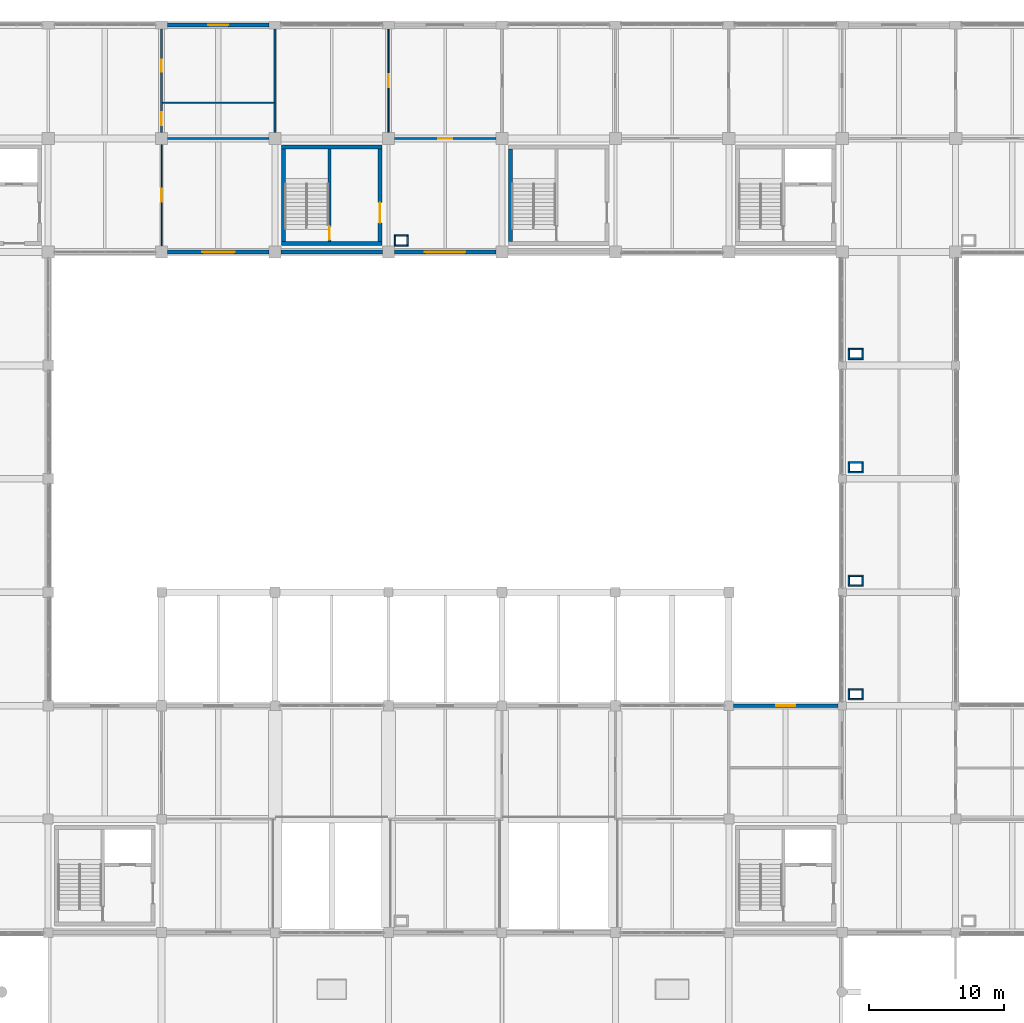
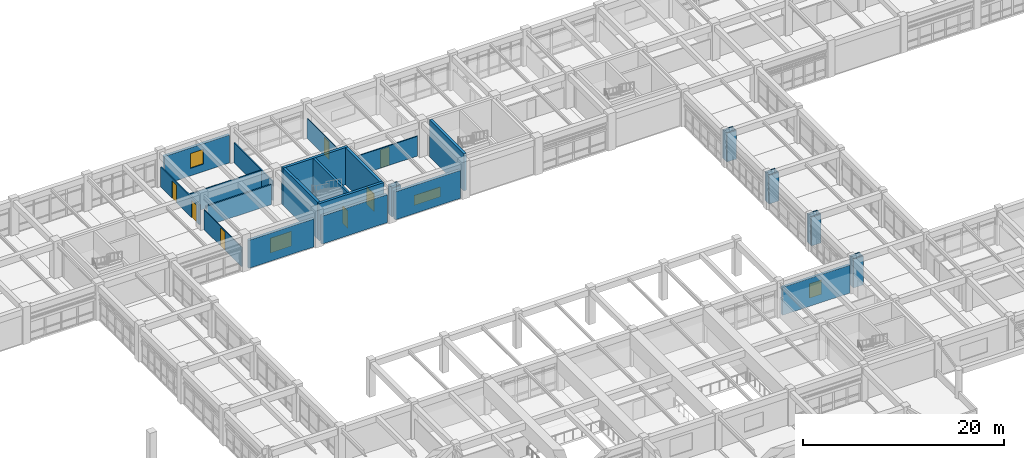
# One storey, part 88 of 99: 38 walls, 7 doors, 4 windows, 11 openings.
"""IFC4 building model written with IfcOpenShell, lengths in metres."""

from ifc_helpers import new_model, si_unit, direction, frame, frame_2d, origin, place, context, subcontext, project, spatial, rectangle, extrude, material, layer, layer_set, type_object, element, fill, save


model = new_model("IFC4")

# Units and contexts
model_context = context("Model", 3, precision=1e-05, world=origin(), true_north=direction((0.0, 1.0)))
body_context = subcontext(model_context, "Body", "Model", "MODEL_VIEW")
ifc_project = project(units=[si_unit("LENGTHUNIT", "METRE"), si_unit("AREAUNIT", "SQUARE_METRE"), si_unit("VOLUMEUNIT", "CUBIC_METRE"), si_unit("PLANEANGLEUNIT", "RADIAN"), si_unit("MASSUNIT", "GRAM", prefix="KILO")], contexts=[model_context])

# Site, building, storey
site_placement = place(None, origin())
site = spatial("IfcSite", under=ifc_project, at=site_placement, CompositionType="ELEMENT")
building_placement = place(site_placement, origin())
building = spatial("IfcBuilding", under=site, at=building_placement, Name="Porcellanite Civic Hall", CompositionType="ELEMENT")
storey_placement = place(building_placement, frame((0.0, 0.0, 5.760009765625)))
storey = spatial("IfcBuildingStorey", under=building, at=storey_placement, Name="L01", CompositionType="ELEMENT", Elevation=5.760009765625)

# Wall, opening, door
ifc_material_1 = material(Name="Concrete N40 (40 MPa)", Category="concrete")
ifc_layer_1 = layer(ifc_material_1, 0.239990234375)
ifc_layer_set_1 = layer_set([ifc_layer_1], Name="Concrete N40 (40 MPa)")
wall_type_1 = type_object("IfcWallType", Name="CW-SH240", PredefinedType="SHEAR", material=ifc_layer_set_1)
wall_1_placement = place(storey_placement, frame((79.639892578125, 101.580078125, 0.0), z_axis=(0.0, 0.0, 1.0), x_axis=(0.0, 1.0, 0.0)))
wall_1 = element("IfcWall", 1, at=wall_1_placement, inside=storey, type_object=wall_type_1, Name="Core divider S9 L01", PredefinedType="SHEAR", context=body_context, shape_type="SweptSolid", body=[
    extrude(rectangle(XDim=6.83984375, YDim=0.239990234375, at=frame_2d((3.419921875, 0.0))), origin(), (0.0, 0.0, 1.0), 4.5),
])
opening_1_placement = place(wall_1_placement, frame((0.1201171875, 0.0, 0.0)))
opening_1 = element("IfcOpeningElement", 2, at=opening_1_placement, cuts=wall_1, Name="Opening FD-S9-L01-ST", PredefinedType="OPENING", context=body_context, shape_type="SweptSolid", body=[
    extrude(rectangle(XDim=1.0, YDim=2.14990234375, at=frame_2d((0.5, 1.074951171875))), frame((0.0, 0.1201171875, 0.0), z_axis=(0.0, -1.0, 0.0), x_axis=(1.0, 0.0, 0.0)), (0.0, 0.0, 1.0), 0.239990234375),
])
ifc_material_2 = material(Name="Fire-rated solid-core hardwood timber", Category="wood")
door_type_1 = type_object("IfcDoorType", Name="DR-FD100", OperationType="NOTDEFINED", PredefinedType="DOOR", material=ifc_material_2)
door_1_placement = place(opening_1_placement, origin())
door_1 = element("IfcDoor", 3, at=door_1_placement, inside=storey, type_object=door_type_1, Name="Fire stair door FD-S9-L01-ST", OperationType="SINGLE_SWING_RIGHT", OverallHeight=2.14990234375, OverallWidth=1.0, PredefinedType="DOOR", context=body_context, shape_type="SweptSolid", body=[
    extrude(rectangle(XDim=1.0, YDim=2.14990234375, at=frame_2d((0.5, 1.074951171875))), frame((0.0, 0.02490234375, 0.0), z_axis=(0.0, -1.0, 0.0), x_axis=(1.0, 0.0, 0.0)), (0.0, 0.0, 1.0), 0.050048828125),
])
fill(opening_1, door_1)

# Walls
ifc_material_3 = material(Name="Concrete N40 (40 MPa)", Category="concrete")
ifc_layer_2 = layer(ifc_material_3, 0.300048828125)
ifc_layer_set_2 = layer_set([ifc_layer_2], Name="Concrete N40 (40 MPa)")
wall_type_2 = type_object("IfcWallType", Name="CW-SH300", PredefinedType="SHEAR", material=ifc_layer_set_2)
wall_2_placement = place(storey_placement, frame((83.52001953125, 101.429931640625, 0.0), z_axis=(0.0, 0.0, 1.0), x_axis=(-1.0, 0.0, 0.0)))
element("IfcWall", 4, at=wall_2_placement, inside=storey, type_object=wall_type_2, Name="Core wall S9 L01 S", PredefinedType="SHEAR", context=body_context, shape_type="SweptSolid", body=[
    extrude(rectangle(XDim=7.43994140625, YDim=0.300048828125, at=frame_2d((3.719970703125, 0.0))), origin(), (0.0, 0.0, 1.0), 4.5),
])
wall_3_placement = place(storey_placement, frame((76.22998046875, 101.580078125, 0.0), z_axis=(0.0, 0.0, 1.0), x_axis=(0.0, 1.0, 0.0)))
element("IfcWall", 5, at=wall_3_placement, inside=storey, type_object=wall_type_2, Name="Core wall S9 L01 W", PredefinedType="SHEAR", context=body_context, shape_type="SweptSolid", body=[
    extrude(rectangle(XDim=6.83984375, YDim=0.300048828125, at=frame_2d((3.419921875, 0.0))), origin(), (0.0, 0.0, 1.0), 4.5),
])
wall_4_placement = place(storey_placement, frame((76.080078125, 108.570068359375, 0.0), z_axis=(0.0, 0.0, 1.0), x_axis=(1.0, 0.0, 0.0)))
element("IfcWall", 6, at=wall_4_placement, inside=storey, type_object=wall_type_2, Name="Core wall S9 L01 N", PredefinedType="SHEAR", context=body_context, shape_type="SweptSolid", body=[
    extrude(rectangle(XDim=7.43994140625, YDim=0.300048828125, at=frame_2d((3.719970703125, 0.0))), origin(), (0.0, 0.0, 1.0), 4.5),
])

# Wall, opening, door
wall_5_placement = place(storey_placement, frame((83.3701171875, 108.419921875, 0.0), z_axis=(0.0, 0.0, 1.0), x_axis=(0.0, -1.0, 0.0)))
wall_5 = element("IfcWall", 7, at=wall_5_placement, inside=storey, type_object=wall_type_2, Name="Core wall S9 L01 E", PredefinedType="SHEAR", context=body_context, shape_type="SweptSolid", body=[
    extrude(rectangle(XDim=6.83984375, YDim=0.300048828125, at=frame_2d((3.419921875, 0.0))), origin(), (0.0, 0.0, 1.0), 4.5),
])
opening_2_placement = place(wall_5_placement, frame((3.969970703125, 0.0, 0.0)))
opening_2 = element("IfcOpeningElement", 8, at=opening_2_placement, cuts=wall_5, Name="Opening FD-S9-L01-LB", PredefinedType="OPENING", context=body_context, shape_type="SweptSolid", body=[
    extrude(rectangle(XDim=1.5, YDim=2.14990234375, at=frame_2d((0.75, 1.074951171875))), frame((0.0, 0.14990234375, 0.0), z_axis=(0.0, -1.0, 0.0), x_axis=(1.0, 0.0, 0.0)), (0.0, 0.0, 1.0), 0.300048828125),
])
ifc_material_4 = material(Name="Fire-rated steel and Georgian wired glass", Category="steel")
door_type_2 = type_object("IfcDoorType", Name="DR-FD150", OperationType="DOUBLE_DOOR_SINGLE_SWING", PredefinedType="DOOR", material=ifc_material_4)
door_2_placement = place(opening_2_placement, origin())
door_2 = element("IfcDoor", 9, at=door_2_placement, inside=storey, type_object=door_type_2, Name="Fire lobby double door FD-S9-L01-LB", OperationType="DOUBLE_DOOR_SINGLE_SWING", OverallHeight=2.14990234375, OverallWidth=1.5, PredefinedType="DOOR", context=body_context, shape_type="SweptSolid", body=[
    extrude(rectangle(XDim=1.5, YDim=2.14990234375, at=frame_2d((0.75, 1.074951171875))), frame((0.0, 0.02490234375, 0.0), z_axis=(0.0, -1.0, 0.0), x_axis=(1.0, 0.0, 0.0)), (0.0, 0.0, 1.0), 0.050048828125),
])
fill(opening_2, door_2)

# Wall
wall_6_placement = place(storey_placement, frame((93.030029296875, 101.580078125, 0.0), z_axis=(0.0, 0.0, 1.0), x_axis=(0.0, 1.0, 0.0)))
element("IfcWall", 10, at=wall_6_placement, inside=storey, type_object=wall_type_2, Name="Core wall S10 L01 W", PredefinedType="SHEAR", context=body_context, shape_type="SweptSolid", body=[
    extrude(rectangle(XDim=6.83984375, YDim=0.300048828125, at=frame_2d((3.419921875, 0.0))), origin(), (0.0, 0.0, 1.0), 4.5),
])

# Wall, opening, window
ifc_material_5 = material(Name="Precast concrete N40 (40 MPa)", Category="concrete")
ifc_layer_3 = layer(ifc_material_5, 0.300048828125)
ifc_layer_set_3 = layer_set([ifc_layer_3], Name="Precast concrete N40 (40 MPa)")
wall_type_3 = type_object("IfcWallType", Name="EW-ADM300", PredefinedType="SOLIDWALL", material=ifc_layer_set_3)
wall_7_placement = place(storey_placement, frame((75.14892578125, 100.800048828125, 0.0), z_axis=(0.0, 0.0, 1.0), x_axis=(-1.0, 0.0, 0.0)))
wall_7 = element("IfcWall", 11, at=wall_7_placement, inside=storey, type_object=wall_type_3, Name="Exterior wall L01 S 9-13", PredefinedType="SOLIDWALL", context=body_context, shape_type="SweptSolid", body=[
    extrude(rectangle(XDim=7.498046875, YDim=0.300048828125, at=frame_2d((3.7490234375, 0.0))), origin(), (0.0, 0.0, 1.0), 3.39990234375),
])
opening_3_placement = place(wall_7_placement, frame((2.549072265625, 0.0, 0.89990234375)))
opening_3 = element("IfcOpeningElement", 12, at=opening_3_placement, cuts=wall_7, Name="Opening W03", PredefinedType="OPENING", context=body_context, shape_type="SweptSolid", body=[
    extrude(rectangle(XDim=2.39990234375, YDim=1.800048828125, at=frame_2d((1.199951171875, 0.89990234375))), frame((0.0, 0.14990234375, 0.0), z_axis=(0.0, -1.0, 0.0), x_axis=(1.0, 0.0, 0.0)), (0.0, 0.0, 1.0), 0.300048828125),
])
ifc_material_6 = material(Name="Cyclone laminated low-E glazing in anodised aluminium frame", Category="aluminium")
window_type_1 = type_object("IfcWindowType", Name="WN-03", PartitioningType="TRIPLE_PANEL_VERTICAL", PredefinedType="WINDOW", material=ifc_material_6)
window_1_placement = place(opening_3_placement, origin())
window_1 = element("IfcWindow", 13, at=window_1_placement, inside=storey, type_object=window_type_1, Name="Window W03 L01 S 9-13", OverallHeight=1.800048828125, OverallWidth=2.39990234375, PartitioningType="SINGLE_PANEL", PredefinedType="WINDOW", context=body_context, shape_type="SweptSolid", body=[
    extrude(rectangle(XDim=2.39990234375, YDim=1.800048828125, at=frame_2d((1.199951171875, 0.89990234375))), frame((0.0, 0.030029296875, 0.0), z_axis=(0.0, -1.0, 0.0), x_axis=(1.0, 0.0, 0.0)), (0.0, 0.0, 1.0), 0.06005859375),
])
fill(opening_3, window_1)

wall_8_placement = place(storey_placement, frame((67.65087890625, 117.60009765625, 0.0), z_axis=(0.0, 0.0, 1.0), x_axis=(1.0, 0.0, 0.0)))
wall_8 = element("IfcWall", 14, at=wall_8_placement, inside=storey, type_object=wall_type_3, Name="Exterior wall L01 N 9-14", PredefinedType="SOLIDWALL", context=body_context, shape_type="SweptSolid", body=[
    extrude(rectangle(XDim=7.498046875, YDim=0.300048828125, at=frame_2d((3.7490234375, 0.0))), origin(), (0.0, 0.0, 1.0), 3.39990234375),
])
opening_4_placement = place(wall_8_placement, frame((2.9990234375, 0.0, 0.89990234375)))
opening_4 = element("IfcOpeningElement", 15, at=opening_4_placement, cuts=wall_8, Name="Opening W04", PredefinedType="OPENING", context=body_context, shape_type="SweptSolid", body=[
    extrude(rectangle(XDim=1.5, YDim=1.800048828125, at=frame_2d((0.75, 0.89990234375))), frame((0.0, 0.14990234375, 0.0), z_axis=(0.0, -1.0, 0.0), x_axis=(1.0, 0.0, 0.0)), (0.0, 0.0, 1.0), 0.300048828125),
])
ifc_material_7 = material(Name="Cyclone laminated low-E glazing in anodised aluminium frame", Category="aluminium")
window_type_2 = type_object("IfcWindowType", Name="WN-04", PartitioningType="SINGLE_PANEL", PredefinedType="WINDOW", material=ifc_material_7)
window_2_placement = place(opening_4_placement, origin())
window_2 = element("IfcWindow", 16, at=window_2_placement, inside=storey, type_object=window_type_2, Name="Window W04 L01 N 9-14", OverallHeight=1.800048828125, OverallWidth=1.5, PartitioningType="SINGLE_PANEL", PredefinedType="WINDOW", context=body_context, shape_type="SweptSolid", body=[
    extrude(rectangle(XDim=1.5, YDim=1.800048828125, at=frame_2d((0.75, 0.89990234375))), frame((0.0, 0.030029296875, 0.0), z_axis=(0.0, -1.0, 0.0), x_axis=(1.0, 0.0, 0.0)), (0.0, 0.0, 1.0), 0.06005859375),
])
fill(opening_4, window_2)

# Wall
wall_9_placement = place(storey_placement, frame((83.549072265625, 100.800048828125, 0.0), z_axis=(0.0, 0.0, 1.0), x_axis=(-1.0, 0.0, 0.0)))
element("IfcWall", 17, at=wall_9_placement, inside=storey, type_object=wall_type_3, Name="Exterior wall L01 S 10-13", PredefinedType="SOLIDWALL", context=body_context, shape_type="SweptSolid", body=[
    extrude(rectangle(XDim=7.498046875, YDim=0.300048828125, at=frame_2d((3.7490234375, 0.0))), origin(), (0.0, 0.0, 1.0), 3.39990234375),
])

# Wall, opening, window
wall_10_placement = place(storey_placement, frame((91.948974609375, 100.800048828125, 0.0), z_axis=(0.0, 0.0, 1.0), x_axis=(-1.0, 0.0, 0.0)))
wall_10 = element("IfcWall", 18, at=wall_10_placement, inside=storey, type_object=wall_type_3, Name="Exterior wall L01 S 11-13", PredefinedType="SOLIDWALL", context=body_context, shape_type="SweptSolid", body=[
    extrude(rectangle(XDim=7.498046875, YDim=0.300048828125, at=frame_2d((3.7490234375, 0.0))), origin(), (0.0, 0.0, 1.0), 3.39990234375),
])
opening_5_placement = place(wall_10_placement, frame((2.2490234375, 0.0, 0.89990234375)))
opening_5 = element("IfcOpeningElement", 19, at=opening_5_placement, cuts=wall_10, Name="Opening W09", PredefinedType="OPENING", context=body_context, shape_type="SweptSolid", body=[
    extrude(rectangle(XDim=3.0, YDim=1.199951171875, at=frame_2d((1.5, 0.60009765625))), frame((0.0, 0.14990234375, 0.0), z_axis=(0.0, -1.0, 0.0), x_axis=(1.0, 0.0, 0.0)), (0.0, 0.0, 1.0), 0.300048828125),
])
ifc_material_8 = material(Name="Cyclone laminated low-E glazing in anodised aluminium frame", Category="aluminium")
window_type_3 = type_object("IfcWindowType", Name="WN-09", PartitioningType="TRIPLE_PANEL_HORIZONTAL", PredefinedType="WINDOW", material=ifc_material_8)
window_3_placement = place(opening_5_placement, origin())
window_3 = element("IfcWindow", 20, at=window_3_placement, inside=storey, type_object=window_type_3, Name="Window W09 L01 S 11-13", OverallHeight=1.199951171875, OverallWidth=3.0, PartitioningType="SINGLE_PANEL", PredefinedType="WINDOW", context=body_context, shape_type="SweptSolid", body=[
    extrude(rectangle(XDim=3.0, YDim=1.199951171875, at=frame_2d((1.5, 0.60009765625))), frame((0.0, 0.030029296875, 0.0), z_axis=(0.0, -1.0, 0.0), x_axis=(1.0, 0.0, 0.0)), (0.0, 0.0, 1.0), 0.06005859375),
])
fill(opening_5, window_3)

ifc_material_9 = material(Name="Precast concrete N40 (40 MPa)", Category="concrete")
ifc_layer_4 = layer(ifc_material_9, 0.280029296875)
ifc_layer_set_4 = layer_set([ifc_layer_4], Name="Precast concrete N40 (40 MPa)")
wall_type_4 = type_object("IfcWallType", Name="EW-CLO280", PredefinedType="SOLIDWALL", material=ifc_layer_set_4)
wall_11_placement = place(storey_placement, frame((109.551025390625, 67.199951171875, 0.0), z_axis=(0.0, 0.0, 1.0), x_axis=(1.0, 0.0, 0.0)))
wall_11 = element("IfcWall", 21, at=wall_11_placement, inside=storey, type_object=wall_type_4, Name="Exterior wall L01 N 14-8", PredefinedType="SOLIDWALL", context=body_context, shape_type="SweptSolid", body=[
    extrude(rectangle(XDim=7.722900390625, YDim=0.280029296875, at=frame_2d((3.861328125, 0.0))), origin(), (0.0, 0.0, 1.0), 3.39990234375),
])
opening_6_placement = place(wall_11_placement, frame((3.162109375, 0.0, 0.89990234375)))
opening_6 = element("IfcOpeningElement", 22, at=opening_6_placement, cuts=wall_11, Name="Opening W16", PredefinedType="OPENING", context=body_context, shape_type="SweptSolid", body=[
    extrude(rectangle(XDim=1.39990234375, YDim=1.75, at=frame_2d((0.699951171875, 0.875))), frame((0.0, 0.14013671875, 0.0), z_axis=(0.0, -1.0, 0.0), x_axis=(1.0, 0.0, 0.0)), (0.0, 0.0, 1.0), 0.280029296875),
])
ifc_material_10 = material(Name="Cyclone laminated low-E glazing in anodised aluminium frame", Category="aluminium")
window_type_4 = type_object("IfcWindowType", Name="WN-16", PartitioningType="SINGLE_PANEL", PredefinedType="WINDOW", material=ifc_material_10)
window_4_placement = place(opening_6_placement, origin())
window_4 = element("IfcWindow", 23, at=window_4_placement, inside=storey, type_object=window_type_4, Name="Window W16 L01 N 14-8", OverallHeight=1.75, OverallWidth=1.39990234375, PartitioningType="SINGLE_PANEL", PredefinedType="WINDOW", context=body_context, shape_type="SweptSolid", body=[
    extrude(rectangle(XDim=1.39990234375, YDim=1.75, at=frame_2d((0.699951171875, 0.875))), frame((0.0, 0.030029296875, 0.0), z_axis=(0.0, -1.0, 0.0), x_axis=(1.0, 0.0, 0.0)), (0.0, 0.0, 1.0), 0.06005859375),
])
fill(opening_6, window_4)

# Walls
ifc_material_11 = material(Name="Fire-rated shaftwall plasterboard on steel studs", Category="steel")
ifc_layer_5 = layer(ifc_material_11, 0.117919921875)
ifc_layer_set_5 = layer_set([ifc_layer_5], Name="Fire-rated shaftwall plasterboard on steel studs")
wall_type_5 = type_object("IfcWallType", Name="IW-FR118", PredefinedType="PARTITIONING", material=ifc_layer_set_5)
for number, where, z_axis, x_axis, name in (
    (24, (84.431884765625, 101.291015625, 0.0), (0.0, 0.0, 1.0), (1.0, 0.0, 0.0), "Fire riser shaftwall S L01 10-12"),
    (25, (84.431884765625, 102.009033203125, 0.0), (0.0, 0.0, 1.0), (1.0, 0.0, 0.0), "Fire riser shaftwall N L01 10-12"),
):
    element("IfcWall", number, at=place(storey_placement, frame(where, z_axis=z_axis, x_axis=x_axis)), inside=storey, type_object=wall_type_5, Name=name, PredefinedType="PARTITIONING", context=body_context, shape_type="SweptSolid", body=[
        extrude(rectangle(XDim=1.0361328125, YDim=0.117919921875, at=frame_2d((0.51806640625, 0.0))), origin(), (0.0, 0.0, 1.0), 3.47998046875),
    ])
for number, where, z_axis, x_axis, name in (
    (26, (84.490966796875, 101.35009765625, 0.0), (0.0, 0.0, 1.0), (0.0, 1.0, 0.0), "Fire riser shaftwall W L01 10-12"),
    (27, (85.408935546875, 101.35009765625, 0.0), (0.0, 0.0, 1.0), (0.0, 1.0, 0.0), "Fire riser shaftwall E L01 10-12"),
):
    element("IfcWall", number, at=place(storey_placement, frame(where, z_axis=z_axis, x_axis=x_axis)), inside=storey, type_object=wall_type_5, Name=name, PredefinedType="PARTITIONING", context=body_context, shape_type="SweptSolid", body=[
        extrude(rectangle(XDim=0.599853515625, YDim=0.117919921875, at=frame_2d((0.2998046875, 0.0))), origin(), (0.0, 0.0, 1.0), 3.47998046875),
    ])
for number, where, z_axis, x_axis, name in (
    (28, (118.031982421875, 67.69091796875, 0.0), (0.0, 0.0, 1.0), (1.0, 0.0, 0.0), "Fire riser shaftwall S L01 14-8"),
    (29, (118.031982421875, 68.408935546875, 0.0), (0.0, 0.0, 1.0), (1.0, 0.0, 0.0), "Fire riser shaftwall N L01 14-8"),
):
    element("IfcWall", number, at=place(storey_placement, frame(where, z_axis=z_axis, x_axis=x_axis)), inside=storey, type_object=wall_type_5, Name=name, PredefinedType="PARTITIONING", context=body_context, shape_type="SweptSolid", body=[
        extrude(rectangle(XDim=1.135986328125, YDim=0.117919921875, at=frame_2d((0.56787109375, 0.0))), origin(), (0.0, 0.0, 1.0), 3.47998046875),
    ])
for number, where, z_axis, x_axis, name in (
    (30, (118.091064453125, 67.75, 0.0), (0.0, 0.0, 1.0), (0.0, 1.0, 0.0), "Fire riser shaftwall W L01 14-8"),
    (31, (119.10888671875, 67.75, 0.0), (0.0, 0.0, 1.0), (0.0, 1.0, 0.0), "Fire riser shaftwall E L01 14-8"),
):
    element("IfcWall", number, at=place(storey_placement, frame(where, z_axis=z_axis, x_axis=x_axis)), inside=storey, type_object=wall_type_5, Name=name, PredefinedType="PARTITIONING", context=body_context, shape_type="SweptSolid", body=[
        extrude(rectangle(XDim=0.60009765625, YDim=0.117919921875, at=frame_2d((0.300048828125, 0.0))), origin(), (0.0, 0.0, 1.0), 3.47998046875),
    ])
for number, where, z_axis, x_axis, name in (
    (32, (118.031982421875, 76.091064453125, 0.0), (0.0, 0.0, 1.0), (1.0, 0.0, 0.0), "Fire riser shaftwall S L01 14-9"),
    (33, (118.031982421875, 76.80908203125, 0.0), (0.0, 0.0, 1.0), (1.0, 0.0, 0.0), "Fire riser shaftwall N L01 14-9"),
):
    element("IfcWall", number, at=place(storey_placement, frame(where, z_axis=z_axis, x_axis=x_axis)), inside=storey, type_object=wall_type_5, Name=name, PredefinedType="PARTITIONING", context=body_context, shape_type="SweptSolid", body=[
        extrude(rectangle(XDim=1.135986328125, YDim=0.117919921875, at=frame_2d((0.56787109375, 0.0))), origin(), (0.0, 0.0, 1.0), 3.47998046875),
    ])
for number, where, z_axis, x_axis, name in (
    (34, (118.091064453125, 76.14990234375, 0.0), (0.0, 0.0, 1.0), (0.0, 1.0, 0.0), "Fire riser shaftwall W L01 14-9"),
    (35, (119.10888671875, 76.14990234375, 0.0), (0.0, 0.0, 1.0), (0.0, 1.0, 0.0), "Fire riser shaftwall E L01 14-9"),
):
    element("IfcWall", number, at=place(storey_placement, frame(where, z_axis=z_axis, x_axis=x_axis)), inside=storey, type_object=wall_type_5, Name=name, PredefinedType="PARTITIONING", context=body_context, shape_type="SweptSolid", body=[
        extrude(rectangle(XDim=0.60009765625, YDim=0.117919921875, at=frame_2d((0.300048828125, 0.0))), origin(), (0.0, 0.0, 1.0), 3.47998046875),
    ])
for number, where, z_axis, x_axis, name in (
    (36, (118.031982421875, 84.490966796875, 0.0), (0.0, 0.0, 1.0), (1.0, 0.0, 0.0), "Fire riser shaftwall S L01 14-10"),
    (37, (118.031982421875, 85.208984375, 0.0), (0.0, 0.0, 1.0), (1.0, 0.0, 0.0), "Fire riser shaftwall N L01 14-10"),
):
    element("IfcWall", number, at=place(storey_placement, frame(where, z_axis=z_axis, x_axis=x_axis)), inside=storey, type_object=wall_type_5, Name=name, PredefinedType="PARTITIONING", context=body_context, shape_type="SweptSolid", body=[
        extrude(rectangle(XDim=1.135986328125, YDim=0.117919921875, at=frame_2d((0.56787109375, 0.0))), origin(), (0.0, 0.0, 1.0), 3.47998046875),
    ])
for number, where, z_axis, x_axis, name in (
    (38, (118.091064453125, 84.550048828125, 0.0), (0.0, 0.0, 1.0), (0.0, 1.0, 0.0), "Fire riser shaftwall W L01 14-10"),
    (39, (119.10888671875, 84.550048828125, 0.0), (0.0, 0.0, 1.0), (0.0, 1.0, 0.0), "Fire riser shaftwall E L01 14-10"),
):
    element("IfcWall", number, at=place(storey_placement, frame(where, z_axis=z_axis, x_axis=x_axis)), inside=storey, type_object=wall_type_5, Name=name, PredefinedType="PARTITIONING", context=body_context, shape_type="SweptSolid", body=[
        extrude(rectangle(XDim=0.599853515625, YDim=0.117919921875, at=frame_2d((0.2998046875, 0.0))), origin(), (0.0, 0.0, 1.0), 3.47998046875),
    ])
for number, where, z_axis, x_axis, name in (
    (40, (118.031982421875, 92.89111328125, 0.0), (0.0, 0.0, 1.0), (1.0, 0.0, 0.0), "Fire riser shaftwall S L01 14-11"),
    (41, (118.031982421875, 93.60888671875, 0.0), (0.0, 0.0, 1.0), (1.0, 0.0, 0.0), "Fire riser shaftwall N L01 14-11"),
):
    element("IfcWall", number, at=place(storey_placement, frame(where, z_axis=z_axis, x_axis=x_axis)), inside=storey, type_object=wall_type_5, Name=name, PredefinedType="PARTITIONING", context=body_context, shape_type="SweptSolid", body=[
        extrude(rectangle(XDim=1.135986328125, YDim=0.117919921875, at=frame_2d((0.56787109375, 0.0))), origin(), (0.0, 0.0, 1.0), 3.47998046875),
    ])
for number, where, z_axis, x_axis, name in (
    (42, (118.091064453125, 92.949951171875, 0.0), (0.0, 0.0, 1.0), (0.0, 1.0, 0.0), "Fire riser shaftwall W L01 14-11"),
    (43, (119.10888671875, 92.949951171875, 0.0), (0.0, 0.0, 1.0), (0.0, 1.0, 0.0), "Fire riser shaftwall E L01 14-11"),
):
    element("IfcWall", number, at=place(storey_placement, frame(where, z_axis=z_axis, x_axis=x_axis)), inside=storey, type_object=wall_type_5, Name=name, PredefinedType="PARTITIONING", context=body_context, shape_type="SweptSolid", body=[
        extrude(rectangle(XDim=0.60009765625, YDim=0.117919921875, at=frame_2d((0.300048828125, 0.0))), origin(), (0.0, 0.0, 1.0), 3.47998046875),
    ])

# Wall, opening, door
ifc_material_12 = material(Name="Insulated acoustic plasterboard on light-gauge steel studs", Category="steel")
ifc_layer_6 = layer(ifc_material_12, 0.087890625)
ifc_layer_set_6 = layer_set([ifc_layer_6], Name="Insulated acoustic plasterboard on light-gauge steel studs")
wall_type_6 = type_object("IfcWallType", Name="IW-PT088", PredefinedType="PARTITIONING", material=ifc_layer_set_6)
wall_12_placement = place(storey_placement, frame((67.199951171875, 101.251953125, 0.0), z_axis=(0.0, 0.0, 1.0), x_axis=(0.0, 1.0, 0.0)))
wall_12 = element("IfcWall", 44, at=wall_12_placement, inside=storey, type_object=wall_type_6, Name="Partition L01 V 8-13", PredefinedType="PARTITIONING", context=body_context, shape_type="SweptSolid", body=[
    extrude(rectangle(XDim=7.49609375, YDim=0.087890625, at=frame_2d((3.748046875, 0.0))), origin(), (0.0, 0.0, 1.0), 2.39990234375),
])
opening_7_placement = place(wall_12_placement, frame((3.26806640625, 0.0, 0.0)))
opening_7 = element("IfcOpeningElement", 45, at=opening_7_placement, cuts=wall_12, Name="Opening D-L01-214", PredefinedType="OPENING", context=body_context, shape_type="SweptSolid", body=[
    extrude(rectangle(XDim=0.9599609375, YDim=2.179931640625, at=frame_2d((0.47998046875, 1.08984375))), frame((0.0, 0.0439453125, 0.0), z_axis=(0.0, -1.0, 0.0), x_axis=(1.0, 0.0, 0.0)), (0.0, 0.0, 1.0), 0.087890625),
])
ifc_material_13 = material(Name="Solid-core spotted-gum timber", Category="wood")
door_type_3 = type_object("IfcDoorType", Name="DR-RM096", OperationType="NOTDEFINED", PredefinedType="DOOR", material=ifc_material_13)
door_3_placement = place(opening_7_placement, origin())
door_3 = element("IfcDoor", 46, at=door_3_placement, inside=storey, type_object=door_type_3, Name="Interior door D-L01-214", OperationType="SINGLE_SWING_LEFT", OverallHeight=2.179931640625, OverallWidth=0.9599609375, PredefinedType="DOOR", context=body_context, shape_type="SweptSolid", body=[
    extrude(rectangle(XDim=0.9599609375, YDim=2.179931640625, at=frame_2d((0.47998046875, 1.08984375))), frame((0.0, 0.02490234375, 0.0), z_axis=(0.0, -1.0, 0.0), x_axis=(1.0, 0.0, 0.0)), (0.0, 0.0, 1.0), 0.050048828125),
])
fill(opening_7, door_3)

# Wall
wall_13_placement = place(storey_placement, frame((67.279541015625, 111.85009765625, 0.0), z_axis=(0.0, 0.0, 1.0), x_axis=(1.0, 0.0, 0.0)))
element("IfcWall", 47, at=wall_13_placement, inside=storey, type_object=wall_type_6, Name="Partition L01 sub 9-14", PredefinedType="PARTITIONING", context=body_context, shape_type="SweptSolid", body=[
    extrude(rectangle(XDim=8.255859375, YDim=0.087890625, at=frame_2d((4.1279296875, 0.0))), origin(), (0.0, 0.0, 1.0), 2.39990234375),
])

# Wall, opening, door
ifc_material_14 = material(Name="Insulated acoustic plasterboard on light-gauge steel studs", Category="steel")
ifc_layer_7 = layer(ifc_material_14, 0.094970703125)
ifc_layer_set_7 = layer_set([ifc_layer_7], Name="Insulated acoustic plasterboard on light-gauge steel studs")
wall_type_7 = type_object("IfcWallType", Name="IW-PT095", PredefinedType="PARTITIONING", material=ifc_layer_set_7)
wall_14_placement = place(storey_placement, frame((84.0, 109.652099609375, 0.0), z_axis=(0.0, 0.0, 1.0), x_axis=(0.0, 1.0, 0.0)))
wall_14 = element("IfcWall", 48, at=wall_14_placement, inside=storey, type_object=wall_type_7, Name="Partition L01 V 10-14", PredefinedType="PARTITIONING", context=body_context, shape_type="SweptSolid", body=[
    extrude(rectangle(XDim=7.64599609375, YDim=0.094970703125, at=frame_2d((3.822998046875, 0.0))), origin(), (0.0, 0.0, 1.0), 2.39990234375),
])
opening_8_placement = place(wall_14_placement, frame((3.35302734375, 0.0, 0.0)))
opening_8 = element("IfcOpeningElement", 49, at=opening_8_placement, cuts=wall_14, Name="Opening D-L01-254", PredefinedType="OPENING", context=body_context, shape_type="SweptSolid", body=[
    extrude(rectangle(XDim=0.93994140625, YDim=2.14990234375, at=frame_2d((0.469970703125, 1.074951171875))), frame((0.0, 0.04736328125, 0.0), z_axis=(0.0, -1.0, 0.0), x_axis=(1.0, 0.0, 0.0)), (0.0, 0.0, 1.0), 0.094970703125),
])
ifc_material_15 = material(Name="Solid-core spotted-gum timber", Category="wood")
door_type_4 = type_object("IfcDoorType", Name="DR-RM094", OperationType="NOTDEFINED", PredefinedType="DOOR", material=ifc_material_15)
door_4_placement = place(opening_8_placement, origin())
door_4 = element("IfcDoor", 50, at=door_4_placement, inside=storey, type_object=door_type_4, Name="Interior door D-L01-254", OperationType="SINGLE_SWING_RIGHT", OverallHeight=2.14990234375, OverallWidth=0.93994140625, PredefinedType="DOOR", context=body_context, shape_type="SweptSolid", body=[
    extrude(rectangle(XDim=0.93994140625, YDim=2.14990234375, at=frame_2d((0.469970703125, 1.074951171875))), frame((0.0, 0.02490234375, 0.0), z_axis=(0.0, -1.0, 0.0), x_axis=(1.0, 0.0, 0.0)), (0.0, 0.0, 1.0), 0.050048828125),
])
fill(opening_8, door_4)

ifc_material_16 = material(Name="Insulated acoustic plasterboard on light-gauge steel studs", Category="steel")
ifc_layer_8 = layer(ifc_material_16, 0.114990234375)
ifc_layer_set_8 = layer_set([ifc_layer_8], Name="Insulated acoustic plasterboard on light-gauge steel studs")
wall_type_8 = type_object("IfcWallType", Name="IW-PT115", PredefinedType="PARTITIONING", material=ifc_layer_set_8)
wall_15_placement = place(storey_placement, frame((84.451904296875, 109.199951171875, 0.0), z_axis=(0.0, 0.0, 1.0), x_axis=(1.0, 0.0, 0.0)))
wall_15 = element("IfcWall", 51, at=wall_15_placement, inside=storey, type_object=wall_type_8, Name="Partition L01 H 11-13", PredefinedType="PARTITIONING", context=body_context, shape_type="SweptSolid", body=[
    extrude(rectangle(XDim=7.49609375, YDim=0.114990234375, at=frame_2d((3.748046875, 0.0))), origin(), (0.0, 0.0, 1.0), 2.39990234375),
])
opening_9_placement = place(wall_15_placement, frame((3.218017578125, 0.0, 0.0)))
opening_9 = element("IfcOpeningElement", 52, at=opening_9_placement, cuts=wall_15, Name="Opening D-L01-196", PredefinedType="OPENING", context=body_context, shape_type="SweptSolid", body=[
    extrude(rectangle(XDim=1.06005859375, YDim=2.219970703125, at=frame_2d((0.530029296875, 1.10986328125))), frame((0.0, 0.0576171875, 0.0), z_axis=(0.0, -1.0, 0.0), x_axis=(1.0, 0.0, 0.0)), (0.0, 0.0, 1.0), 0.114990234375),
])
ifc_material_17 = material(Name="Solid-core spotted-gum timber", Category="wood")
door_type_5 = type_object("IfcDoorType", Name="DR-RM106", OperationType="NOTDEFINED", PredefinedType="DOOR", material=ifc_material_17)
door_5_placement = place(opening_9_placement, origin())
door_5 = element("IfcDoor", 53, at=door_5_placement, inside=storey, type_object=door_type_5, Name="Interior door D-L01-196", OperationType="SINGLE_SWING_RIGHT", OverallHeight=2.219970703125, OverallWidth=1.06005859375, PredefinedType="DOOR", context=body_context, shape_type="SweptSolid", body=[
    extrude(rectangle(XDim=1.06005859375, YDim=2.219970703125, at=frame_2d((0.530029296875, 1.10986328125))), frame((0.0, 0.02490234375, 0.0), z_axis=(0.0, -1.0, 0.0), x_axis=(1.0, 0.0, 0.0)), (0.0, 0.0, 1.0), 0.050048828125),
])
fill(opening_9, door_5)

# Wall
ifc_material_18 = material(Name="Insulated acoustic plasterboard on light-gauge steel studs", Category="steel")
ifc_layer_9 = layer(ifc_material_18, 0.125)
ifc_layer_set_9 = layer_set([ifc_layer_9], Name="Insulated acoustic plasterboard on light-gauge steel studs")
wall_type_9 = type_object("IfcWallType", Name="IW-PT125", PredefinedType="PARTITIONING", material=ifc_layer_set_9)
wall_16_placement = place(storey_placement, frame((75.60009765625, 109.652099609375, 0.0), z_axis=(0.0, 0.0, 1.0), x_axis=(0.0, 1.0, 0.0)))
element("IfcWall", 54, at=wall_16_placement, inside=storey, type_object=wall_type_9, Name="Partition L01 V 9-14", PredefinedType="PARTITIONING", context=body_context, shape_type="SweptSolid", body=[
    extrude(rectangle(XDim=7.64599609375, YDim=0.125, at=frame_2d((3.822998046875, 0.0))), origin(), (0.0, 0.0, 1.0), 2.39990234375),
])

# Wall, openings, doors
ifc_material_19 = material(Name="Insulated acoustic plasterboard on light-gauge steel studs", Category="steel")
ifc_layer_10 = layer(ifc_material_19, 0.155029296875)
ifc_layer_set_10 = layer_set([ifc_layer_10], Name="Insulated acoustic plasterboard on light-gauge steel studs")
wall_type_10 = type_object("IfcWallType", Name="IW-PT155", PredefinedType="PARTITIONING", material=ifc_layer_set_10)
wall_17_placement = place(storey_placement, frame((67.199951171875, 109.652099609375, 0.0), z_axis=(0.0, 0.0, 1.0), x_axis=(0.0, 1.0, 0.0)))
wall_17 = element("IfcWall", 55, at=wall_17_placement, inside=storey, type_object=wall_type_10, Name="Partition L01 V 8-14", PredefinedType="PARTITIONING", context=body_context, shape_type="SweptSolid", body=[
    extrude(rectangle(XDim=7.64599609375, YDim=0.155029296875, at=frame_2d((3.822998046875, 0.0))), origin(), (0.0, 0.0, 1.0), 2.39990234375),
])
opening_10_placement = place(wall_17_placement, frame((0.532958984375, 0.0, 0.0)))
opening_10 = element("IfcOpeningElement", 56, at=opening_10_placement, cuts=wall_17, Name="Opening D-L01-180", PredefinedType="OPENING", context=body_context, shape_type="SweptSolid", body=[
    extrude(rectangle(XDim=0.9599609375, YDim=2.10009765625, at=frame_2d((0.47998046875, 1.050048828125))), frame((0.0, 0.07763671875, 0.0), z_axis=(0.0, -1.0, 0.0), x_axis=(1.0, 0.0, 0.0)), (0.0, 0.0, 1.0), 0.155029296875),
])
opening_11_placement = place(wall_17_placement, frame((4.472900390625, 0.0, 0.0)))
opening_11 = element("IfcOpeningElement", 57, at=opening_11_placement, cuts=wall_17, Name="Opening D-L01-181", PredefinedType="OPENING", context=body_context, shape_type="SweptSolid", body=[
    extrude(rectangle(XDim=0.919921875, YDim=2.10009765625, at=frame_2d((0.4599609375, 1.050048828125))), frame((0.0, 0.07763671875, 0.0), z_axis=(0.0, -1.0, 0.0), x_axis=(1.0, 0.0, 0.0)), (0.0, 0.0, 1.0), 0.155029296875),
])
ifc_material_20 = material(Name="Moisture-resistant laminate solid-core timber", Category="wood")
door_type_6 = type_object("IfcDoorType", Name="DR-WC092", OperationType="NOTDEFINED", PredefinedType="DOOR", material=ifc_material_20)
door_6_placement = place(opening_11_placement, origin())
door_6 = element("IfcDoor", 58, at=door_6_placement, inside=storey, type_object=door_type_6, Name="Interior door D-L01-181", OperationType="SINGLE_SWING_LEFT", OverallHeight=2.10009765625, OverallWidth=0.919921875, PredefinedType="DOOR", context=body_context, shape_type="SweptSolid", body=[
    extrude(rectangle(XDim=0.919921875, YDim=2.10009765625, at=frame_2d((0.4599609375, 1.050048828125))), frame((0.0, 0.02490234375, 0.0), z_axis=(0.0, -1.0, 0.0), x_axis=(1.0, 0.0, 0.0)), (0.0, 0.0, 1.0), 0.050048828125),
])
fill(opening_11, door_6)
ifc_material_21 = material(Name="Moisture-resistant laminate solid-core timber", Category="wood")
door_type_7 = type_object("IfcDoorType", Name="DR-WC096", OperationType="NOTDEFINED", PredefinedType="DOOR", material=ifc_material_21)
door_7_placement = place(opening_10_placement, origin())
door_7 = element("IfcDoor", 59, at=door_7_placement, inside=storey, type_object=door_type_7, Name="Interior door D-L01-180", OperationType="SINGLE_SWING_RIGHT", OverallHeight=2.10009765625, OverallWidth=0.9599609375, PredefinedType="DOOR", context=body_context, shape_type="SweptSolid", body=[
    extrude(rectangle(XDim=0.9599609375, YDim=2.10009765625, at=frame_2d((0.47998046875, 1.050048828125))), frame((0.0, 0.02490234375, 0.0), z_axis=(0.0, -1.0, 0.0), x_axis=(1.0, 0.0, 0.0)), (0.0, 0.0, 1.0), 0.050048828125),
])
fill(opening_10, door_7)

# Wall
ifc_material_22 = material(Name="Insulated acoustic plasterboard on light-gauge steel studs", Category="steel")
ifc_layer_11 = layer(ifc_material_22, 0.175048828125)
ifc_layer_set_11 = layer_set([ifc_layer_11], Name="Insulated acoustic plasterboard on light-gauge steel studs")
wall_type_11 = type_object("IfcWallType", Name="IW-PT175", PredefinedType="PARTITIONING", material=ifc_layer_set_11)
wall_18_placement = place(storey_placement, frame((67.652099609375, 109.199951171875, 0.0), z_axis=(0.0, 0.0, 1.0), x_axis=(1.0, 0.0, 0.0)))
element("IfcWall", 60, at=wall_18_placement, inside=storey, type_object=wall_type_11, Name="Partition L01 H 9-13", PredefinedType="PARTITIONING", context=body_context, shape_type="SweptSolid", body=[
    extrude(rectangle(XDim=7.495849609375, YDim=0.175048828125, at=frame_2d((3.748046875, 0.0))), origin(), (0.0, 0.0, 1.0), 2.39990234375),
])

save(model, "model.ifc")
